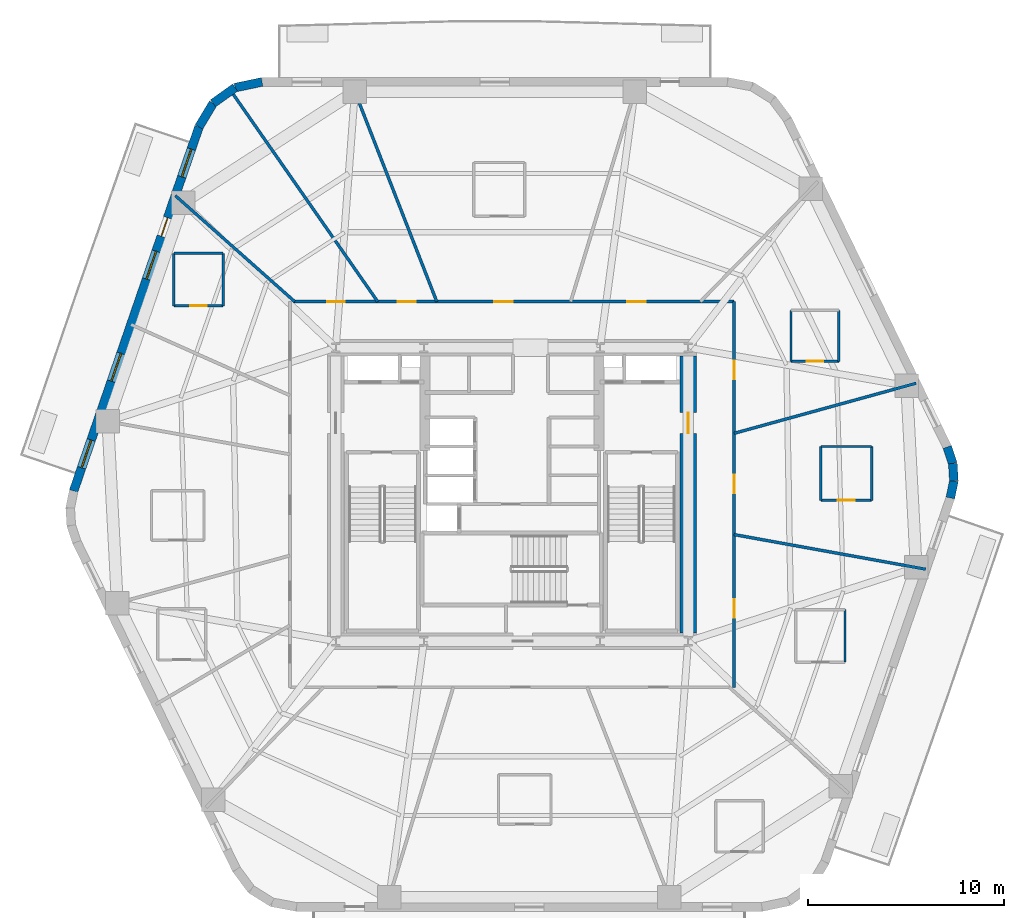
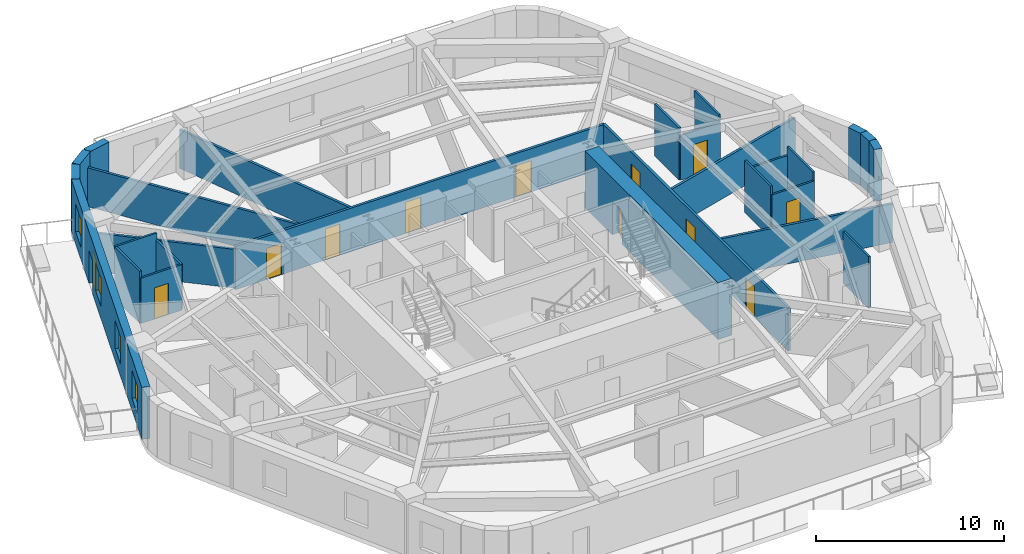
# One storey, part 5 of 8: 27 walls, 12 doors, 4 windows, 16 openings.
"""IFC4 building model written with IfcOpenShell, lengths in metres."""

from ifc_helpers import new_model, si_unit, direction, frame, frame_2d, origin, place, context, subcontext, project, spatial, rectangle, extrude, material, layer, layer_set, type_object, element, fill, save


model = new_model("IFC4")

# Units and contexts
model_context = context("Model", 3, precision=1e-05, world=origin(), true_north=direction((0.0, 1.0)))
body_context = subcontext(model_context, "Body", "Model", "MODEL_VIEW")
ifc_project = project(units=[si_unit("LENGTHUNIT", "METRE"), si_unit("AREAUNIT", "SQUARE_METRE"), si_unit("VOLUMEUNIT", "CUBIC_METRE"), si_unit("PLANEANGLEUNIT", "RADIAN"), si_unit("MASSUNIT", "GRAM", prefix="KILO")], contexts=[model_context])

# Site, building, storey
site_placement = place(None, origin())
site = spatial("IfcSite", under=ifc_project, at=site_placement, CompositionType="ELEMENT")
building_placement = place(site_placement, origin())
building = spatial("IfcBuilding", under=site, at=building_placement, Name="Kilnhurst Terrace Hotel", CompositionType="ELEMENT")
storey_placement = place(building_placement, frame((0.0, 0.0, 135.800048828125)))
storey = spatial("IfcBuildingStorey", under=building, at=storey_placement, Name="L33", CompositionType="ELEMENT", Elevation=135.800048828125)

# Walls
ifc_material_1 = material(Name="Precast concrete C40/50", Category="concrete")
ifc_layer_1 = layer(ifc_material_1, 0.449951171875, Name="Precast concrete C40/50")
ifc_layer_set_1 = layer_set([ifc_layer_1], Name="Precast concrete C40/50")
wall_type_1 = type_object("IfcWallType", Name="WL-BRK-450", PredefinedType="SOLIDWALL", material=ifc_layer_set_1)
wall_1_placement = place(storey_placement, frame((22.39697265625, -0.17919921875, 0.0), z_axis=(0.0, 0.0, 1.0), x_axis=(0.199313589404, 0.979935759669, 0.0)))
element("IfcWall", 1, at=wall_1_placement, inside=storey, type_object=wall_type_1, Name="L33 Rounded Corner Brick Wall C3.1", PredefinedType="SOLIDWALL", context=body_context, shape_type="SweptSolid", body=[
    extrude(rectangle(XDim=0.8955078125, YDim=0.449951171875, at=frame_2d((0.44775390625, 0.0))), origin(), (0.0, 0.0, 1.0), 3.3798828125),
])
wall_2_placement = place(storey_placement, frame((22.575439453125, 0.6982421875, 0.0), z_axis=(0.0, 0.0, 1.0), x_axis=(-0.060980441946, 0.998138961117, 0.0)))
element("IfcWall", 2, at=wall_2_placement, inside=storey, type_object=wall_type_1, Name="L33 Rounded Corner Brick Wall C3.2", PredefinedType="SOLIDWALL", context=body_context, shape_type="SweptSolid", body=[
    extrude(rectangle(XDim=0.880859375, YDim=0.449951171875, at=frame_2d((0.4404296875, 0.0))), origin(), (0.0, 0.0, 1.0), 3.3798828125),
])
wall_3_placement = place(storey_placement, frame((22.521728515625, 1.577392578125, 0.0), z_axis=(0.0, 0.0, 1.0), x_axis=(-0.317372694837, 0.948300887151, 0.0)))
element("IfcWall", 3, at=wall_3_placement, inside=storey, type_object=wall_type_1, Name="L33 Rounded Corner Brick Wall C3.3", PredefinedType="SOLIDWALL", context=body_context, shape_type="SweptSolid", body=[
    extrude(rectangle(XDim=0.8955078125, YDim=0.449951171875, at=frame_2d((0.44775390625, 0.0))), origin(), (0.0, 0.0, 1.0), 3.3798828125),
])
wall_4_placement = place(storey_placement, frame((-12.7705078125, 21.074951171875, 0.0), z_axis=(0.0, 0.0, 1.0), x_axis=(-0.97874281988, -0.205091424819, 0.0)))
element("IfcWall", 4, at=wall_4_placement, inside=storey, type_object=wall_type_1, Name="L33 Rounded Corner Brick Wall C5.1", PredefinedType="SOLIDWALL", context=body_context, shape_type="SweptSolid", body=[
    extrude(rectangle(XDim=1.40576171875, YDim=0.449951171875, at=frame_2d((0.702880859375, 0.0))), origin(), (0.0, 0.0, 1.0), 3.3798828125),
])
wall_5_placement = place(storey_placement, frame((-14.146484375, 20.78662109375, 0.0), z_axis=(0.0, 0.0, 1.0), x_axis=(-0.814162929117, -0.580636482536, 0.0)))
element("IfcWall", 5, at=wall_5_placement, inside=storey, type_object=wall_type_1, Name="L33 Rounded Corner Brick Wall C5.2", PredefinedType="SOLIDWALL", context=body_context, shape_type="SweptSolid", body=[
    extrude(rectangle(XDim=1.382080078125, YDim=0.449951171875, at=frame_2d((0.69091796875, 0.0))), origin(), (0.0, 0.0, 1.0), 3.3798828125),
])
wall_6_placement = place(storey_placement, frame((-15.271728515625, 19.984130859375, 0.0), z_axis=(0.0, 0.0, 1.0), x_axis=(-0.512579347361, -0.858639862025, 0.0)))
element("IfcWall", 6, at=wall_6_placement, inside=storey, type_object=wall_type_1, Name="L33 Rounded Corner Brick Wall C5.3", PredefinedType="SOLIDWALL", context=body_context, shape_type="SweptSolid", body=[
    extrude(rectangle(XDim=1.406005859375, YDim=0.449951171875, at=frame_2d((0.703125, 0.0))), origin(), (0.0, 0.0, 1.0), 3.3798828125),
])

# Wall, openings, door, windows
wall_7_placement = place(storey_placement, frame((-15.992431640625, 18.77685546875, 0.0), z_axis=(0.0, 0.0, 1.0), x_axis=(-0.325606988926, -0.945505202927, 0.0)))
wall_7 = element("IfcWall", 7, at=wall_7_placement, inside=storey, type_object=wall_type_1, Name="L33 Exterior Brick Facade Wall F5", PredefinedType="SOLIDWALL", context=body_context, shape_type="SweptSolid", body=[
    extrude(rectangle(XDim=19.66943359375, YDim=0.449951171875, at=frame_2d((9.834716796875, 0.0))), origin(), (0.0, 0.0, 1.0), 3.3798828125),
])
opening_1_placement = place(wall_7_placement, frame((4.908935546875, 0.0, 0.0)))
opening_1 = element("IfcOpeningElement", 8, at=opening_1_placement, cuts=wall_7, Name="Opening BD-1000", PredefinedType="OPENING", context=body_context, shape_type="SweptSolid", body=[
    extrude(rectangle(XDim=1.0, YDim=2.14990234375, at=frame_2d((0.5, 1.074951171875))), frame((0.0, 0.23486328125, 0.0), z_axis=(0.0, -1.0, 0.0), x_axis=(1.0, 0.0, 0.0)), (0.0, 0.0, 1.0), 0.469970703125),
])
opening_2_placement = place(wall_7_placement, frame((1.197021484375, 0.0, 0.800048828125)))
opening_2 = element("IfcOpeningElement", 9, at=opening_2_placement, cuts=wall_7, Name="Opening W-02", PredefinedType="OPENING", context=body_context, shape_type="SweptSolid", body=[
    extrude(rectangle(XDim=1.5, YDim=1.800048828125, at=frame_2d((0.75, 0.89990234375))), frame((0.0, 0.23486328125, 0.0), z_axis=(0.0, -1.0, 0.0), x_axis=(1.0, 0.0, 0.0)), (0.0, 0.0, 1.0), 0.469970703125),
])
opening_3_placement = place(wall_7_placement, frame((6.719970703125, 0.0, 0.800048828125)))
opening_3 = element("IfcOpeningElement", 10, at=opening_3_placement, cuts=wall_7, Name="Opening W-02", PredefinedType="OPENING", context=body_context, shape_type="SweptSolid", body=[
    extrude(rectangle(XDim=1.5, YDim=1.800048828125, at=frame_2d((0.75, 0.89990234375))), frame((0.0, 0.23486328125, 0.0), z_axis=(0.0, -1.0, 0.0), x_axis=(1.0, 0.0, 0.0)), (0.0, 0.0, 1.0), 0.469970703125),
])
opening_4_placement = place(wall_7_placement, frame((12.238037109375, 0.0, 0.800048828125)))
opening_4 = element("IfcOpeningElement", 11, at=opening_4_placement, cuts=wall_7, Name="Opening W-02", PredefinedType="OPENING", context=body_context, shape_type="SweptSolid", body=[
    extrude(rectangle(XDim=1.5, YDim=1.800048828125, at=frame_2d((0.75, 0.89990234375))), frame((0.0, 0.23486328125, 0.0), z_axis=(0.0, -1.0, 0.0), x_axis=(1.0, 0.0, 0.0)), (0.0, 0.0, 1.0), 0.469970703125),
])
opening_5_placement = place(wall_7_placement, frame((16.91796875, 0.0, 0.800048828125)))
opening_5 = element("IfcOpeningElement", 12, at=opening_5_placement, cuts=wall_7, Name="Opening W-02", PredefinedType="OPENING", context=body_context, shape_type="SweptSolid", body=[
    extrude(rectangle(XDim=1.5, YDim=1.800048828125, at=frame_2d((0.75, 0.89990234375))), frame((0.0, 0.23486328125, 0.0), z_axis=(0.0, -1.0, 0.0), x_axis=(1.0, 0.0, 0.0)), (0.0, 0.0, 1.0), 0.469970703125),
])
ifc_material_2 = material(Name="Thermally Broken Bronze Aluminium Alloy 6063-T6 and Laminated Glass", Category="aluminium")
door_type_1 = type_object("IfcDoorType", Name="DR-EXT-BAL-1000", OperationType="NOTDEFINED", PredefinedType="DOOR", material=ifc_material_2)
door_1_placement = place(opening_1_placement, origin())
door_1 = element("IfcDoor", 13, at=door_1_placement, inside=storey, type_object=door_type_1, Name="L33 Planted Balcony Door BAL-L2B", OperationType="SINGLE_SWING_LEFT", OverallHeight=2.14990234375, OverallWidth=1.0, PredefinedType="DOOR", context=body_context, shape_type="SweptSolid", body=[
    extrude(rectangle(XDim=1.0, YDim=2.14990234375, at=frame_2d((0.5, 1.074951171875))), frame((0.0, 0.02490234375, 0.0), z_axis=(0.0, -1.0, 0.0), x_axis=(1.0, 0.0, 0.0)), (0.0, 0.0, 1.0), 0.050048828125),
])
fill(opening_1, door_1)
ifc_material_3 = material(Name="Thermally Broken Bronze Aluminium Alloy 6063-T6 and Low-E Glass", Category="aluminium")
window_type = type_object("IfcWindowType", Name="WIN-1500X1800", PartitioningType="SINGLE_PANEL", PredefinedType="WINDOW", material=ifc_material_3)
window_1_placement = place(opening_2_placement, origin())
window_1 = element("IfcWindow", 14, at=window_1_placement, inside=storey, type_object=window_type, Name="L33 Deep-Set Masonry Window F5.1", OverallHeight=1.800048828125, OverallWidth=1.5, PartitioningType="SINGLE_PANEL", PredefinedType="WINDOW", context=body_context, shape_type="SweptSolid", body=[
    extrude(rectangle(XDim=1.5, YDim=1.800048828125, at=frame_2d((0.75, 0.89990234375))), frame((0.0, 0.030029296875, 0.0), z_axis=(0.0, -1.0, 0.0), x_axis=(1.0, 0.0, 0.0)), (0.0, 0.0, 1.0), 0.06005859375),
])
fill(opening_2, window_1)
window_2_placement = place(opening_3_placement, origin())
window_2 = element("IfcWindow", 15, at=window_2_placement, inside=storey, type_object=window_type, Name="L33 Deep-Set Masonry Window F5.2", OverallHeight=1.800048828125, OverallWidth=1.5, PartitioningType="SINGLE_PANEL", PredefinedType="WINDOW", context=body_context, shape_type="SweptSolid", body=[
    extrude(rectangle(XDim=1.5, YDim=1.800048828125, at=frame_2d((0.75, 0.89990234375))), frame((0.0, 0.030029296875, 0.0), z_axis=(0.0, -1.0, 0.0), x_axis=(1.0, 0.0, 0.0)), (0.0, 0.0, 1.0), 0.06005859375),
])
fill(opening_3, window_2)
window_3_placement = place(opening_4_placement, origin())
window_3 = element("IfcWindow", 16, at=window_3_placement, inside=storey, type_object=window_type, Name="L33 Deep-Set Masonry Window F5.3", OverallHeight=1.800048828125, OverallWidth=1.5, PartitioningType="SINGLE_PANEL", PredefinedType="WINDOW", context=body_context, shape_type="SweptSolid", body=[
    extrude(rectangle(XDim=1.5, YDim=1.800048828125, at=frame_2d((0.75, 0.89990234375))), frame((0.0, 0.030029296875, 0.0), z_axis=(0.0, -1.0, 0.0), x_axis=(1.0, 0.0, 0.0)), (0.0, 0.0, 1.0), 0.06005859375),
])
fill(opening_4, window_3)
window_4_placement = place(opening_5_placement, origin())
window_4 = element("IfcWindow", 17, at=window_4_placement, inside=storey, type_object=window_type, Name="L33 Deep-Set Masonry Window F5.4", OverallHeight=1.800048828125, OverallWidth=1.5, PartitioningType="SINGLE_PANEL", PredefinedType="WINDOW", context=body_context, shape_type="SweptSolid", body=[
    extrude(rectangle(XDim=1.5, YDim=1.800048828125, at=frame_2d((0.75, 0.89990234375))), frame((0.0, 0.030029296875, 0.0), z_axis=(0.0, -1.0, 0.0), x_axis=(1.0, 0.0, 0.0)), (0.0, 0.0, 1.0), 0.06005859375),
])
fill(opening_5, window_4)

# Wall, openings, doors
ifc_material_4 = material(Name="Acoustic Double-Gypsum Corridor Partition Assembly")
ifc_layer_2 = layer(ifc_material_4, 0.14990234375, Name="Acoustic Double-Gypsum Corridor Partition Assembly")
ifc_layer_set_2 = layer_set([ifc_layer_2], Name="Acoustic Double-Gypsum Corridor Partition Assembly")
wall_type_2 = type_object("IfcWallType", Name="WL-COR-150", PredefinedType="PARTITIONING", material=ifc_layer_set_2)
wall_8_placement = place(storey_placement, frame((-11.35009765625, 9.85009765625, 0.0), z_axis=(0.0, 0.0, 1.0), x_axis=(1.0, 0.0, 0.0)))
wall_8 = element("IfcWall", 18, at=wall_8_placement, inside=storey, type_object=wall_type_2, Name="L33 Interior Wall WL-L33-COR-02", PredefinedType="PARTITIONING", context=body_context, shape_type="SweptSolid", body=[
    extrude(rectangle(XDim=22.7001953125, YDim=0.14990234375, at=frame_2d((11.35009765625, 0.0))), origin(), (0.0, 0.0, 1.0), 2.820068359375),
])
opening_6_placement = place(wall_8_placement, frame((17.237060546875, 0.0, 0.0)))
opening_6 = element("IfcOpeningElement", 19, at=opening_6_placement, cuts=wall_8, Name="Opening D-60B", PredefinedType="OPENING", context=body_context, shape_type="SweptSolid", body=[
    extrude(rectangle(XDim=0.949951171875, YDim=2.030029296875, at=frame_2d((0.47509765625, 1.01513671875))), frame((0.0, 0.0849609375, 0.0), z_axis=(0.0, -1.0, 0.0), x_axis=(1.0, 0.0, 0.0)), (0.0, 0.0, 1.0), 0.169921875),
])
opening_7_placement = place(wall_8_placement, frame((10.449951171875, 0.0, 0.0)))
opening_7 = element("IfcOpeningElement", 20, at=opening_7_placement, cuts=wall_8, Name="Opening D-60B", PredefinedType="OPENING", context=body_context, shape_type="SweptSolid", body=[
    extrude(rectangle(XDim=0.949951171875, YDim=2.030029296875, at=frame_2d((0.47509765625, 1.01513671875))), frame((0.0, 0.0849609375, 0.0), z_axis=(0.0, -1.0, 0.0), x_axis=(1.0, 0.0, 0.0)), (0.0, 0.0, 1.0), 0.169921875),
])
opening_8_placement = place(wall_8_placement, frame((5.52197265625, 0.0, 0.0)))
opening_8 = element("IfcOpeningElement", 21, at=opening_8_placement, cuts=wall_8, Name="Opening D-60C", PredefinedType="OPENING", context=body_context, shape_type="SweptSolid", body=[
    extrude(rectangle(XDim=0.89990234375, YDim=2.030029296875, at=frame_2d((0.449951171875, 1.01513671875))), frame((0.0, 0.0849609375, 0.0), z_axis=(0.0, -1.0, 0.0), x_axis=(1.0, 0.0, 0.0)), (0.0, 0.0, 1.0), 0.169921875),
])
opening_9_placement = place(wall_8_placement, frame((1.9140625, 0.0, 0.0)))
opening_9 = element("IfcOpeningElement", 22, at=opening_9_placement, cuts=wall_8, Name="Opening D-60C", PredefinedType="OPENING", context=body_context, shape_type="SweptSolid", body=[
    extrude(rectangle(XDim=0.89990234375, YDim=2.030029296875, at=frame_2d((0.449951171875, 1.01513671875))), frame((0.0, 0.0849609375, 0.0), z_axis=(0.0, -1.0, 0.0), x_axis=(1.0, 0.0, 0.0)), (0.0, 0.0, 1.0), 0.169921875),
])
ifc_material_5 = material(Name="Painted Solid-Core Service Fire Door")
door_type_2 = type_object("IfcDoorType", Name="DR-FD60-900", OperationType="NOTDEFINED", PredefinedType="DOOR", material=ifc_material_5)
door_2_placement = place(opening_8_placement, origin())
door_2 = element("IfcDoor", 23, at=door_2_placement, inside=storey, type_object=door_type_2, Name="L33 Executive Work Office Door 4", OperationType="SINGLE_SWING_RIGHT", OverallHeight=2.030029296875, OverallWidth=0.89990234375, PredefinedType="DOOR", context=body_context, shape_type="SweptSolid", body=[
    extrude(rectangle(XDim=0.89990234375, YDim=2.030029296875, at=frame_2d((0.449951171875, 1.01513671875))), frame((0.0, 0.02490234375, 0.0), z_axis=(0.0, -1.0, 0.0), x_axis=(1.0, 0.0, 0.0)), (0.0, 0.0, 1.0), 0.050048828125),
])
fill(opening_8, door_2)
door_3_placement = place(opening_9_placement, origin())
door_3 = element("IfcDoor", 24, at=door_3_placement, inside=storey, type_object=door_type_2, Name="L33 Executive Work Office Door 5", OperationType="SINGLE_SWING_LEFT", OverallHeight=2.030029296875, OverallWidth=0.89990234375, PredefinedType="DOOR", context=body_context, shape_type="SweptSolid", body=[
    extrude(rectangle(XDim=0.89990234375, YDim=2.030029296875, at=frame_2d((0.449951171875, 1.01513671875))), frame((0.0, 0.02490234375, 0.0), z_axis=(0.0, -1.0, 0.0), x_axis=(1.0, 0.0, 0.0)), (0.0, 0.0, 1.0), 0.050048828125),
])
fill(opening_9, door_3)
ifc_material_6 = material(Name="Acoustic Walnut Veneer Solid-Core Fire Door")
door_type_3 = type_object("IfcDoorType", Name="DR-FD60-950", OperationType="NOTDEFINED", PredefinedType="DOOR", material=ifc_material_6)
door_4_placement = place(opening_6_placement, origin())
door_4 = element("IfcDoor", 25, at=door_4_placement, inside=storey, type_object=door_type_3, Name="L33 Club Cocktail Lounge Door", OperationType="SINGLE_SWING_RIGHT", OverallHeight=2.030029296875, OverallWidth=0.949951171875, PredefinedType="DOOR", context=body_context, shape_type="SweptSolid", body=[
    extrude(rectangle(XDim=0.949951171875, YDim=2.030029296875, at=frame_2d((0.47509765625, 1.01513671875))), frame((0.0, 0.02490234375, 0.0), z_axis=(0.0, -1.0, 0.0), x_axis=(1.0, 0.0, 0.0)), (0.0, 0.0, 1.0), 0.050048828125),
])
fill(opening_6, door_4)
door_5_placement = place(opening_7_placement, origin())
door_5 = element("IfcDoor", 26, at=door_5_placement, inside=storey, type_object=door_type_3, Name="L33 Executive Suite Entry Door 3", OperationType="SINGLE_SWING_LEFT", OverallHeight=2.030029296875, OverallWidth=0.949951171875, PredefinedType="DOOR", context=body_context, shape_type="SweptSolid", body=[
    extrude(rectangle(XDim=0.949951171875, YDim=2.030029296875, at=frame_2d((0.47509765625, 1.01513671875))), frame((0.0, 0.02490234375, 0.0), z_axis=(0.0, -1.0, 0.0), x_axis=(1.0, 0.0, 0.0)), (0.0, 0.0, 1.0), 0.050048828125),
])
fill(opening_7, door_5)

wall_9_placement = place(storey_placement, frame((11.35009765625, 9.85009765625, 0.0), z_axis=(0.0, 0.0, 1.0), x_axis=(0.0, -1.0, 0.0)))
wall_9 = element("IfcWall", 27, at=wall_9_placement, inside=storey, type_object=wall_type_2, Name="L33 Interior Wall WL-L33-COR-03", PredefinedType="PARTITIONING", context=body_context, shape_type="SweptSolid", body=[
    extrude(rectangle(XDim=19.7001953125, YDim=0.14990234375, at=frame_2d((9.85009765625, 0.0))), origin(), (0.0, 0.0, 1.0), 2.820068359375),
])
opening_10_placement = place(wall_9_placement, frame((3.008056640625, 0.0, 0.0)))
opening_10 = element("IfcOpeningElement", 28, at=opening_10_placement, cuts=wall_9, Name="Opening D-60B", PredefinedType="OPENING", context=body_context, shape_type="SweptSolid", body=[
    extrude(rectangle(XDim=0.949951171875, YDim=2.030029296875, at=frame_2d((0.47509765625, 1.01513671875))), frame((0.0, 0.0849609375, 0.0), z_axis=(0.0, -1.0, 0.0), x_axis=(1.0, 0.0, 0.0)), (0.0, 0.0, 1.0), 0.169921875),
])
opening_11_placement = place(wall_9_placement, frame((15.205078125, 0.0, 0.0)))
opening_11 = element("IfcOpeningElement", 29, at=opening_11_placement, cuts=wall_9, Name="Opening D-60B", PredefinedType="OPENING", context=body_context, shape_type="SweptSolid", body=[
    extrude(rectangle(XDim=0.949951171875, YDim=2.030029296875, at=frame_2d((0.47509765625, 1.01513671875))), frame((0.0, 0.0849609375, 0.0), z_axis=(0.0, -1.0, 0.0), x_axis=(1.0, 0.0, 0.0)), (0.0, 0.0, 1.0), 0.169921875),
])
opening_12_placement = place(wall_9_placement, frame((8.8359375, 0.0, 0.0)))
opening_12 = element("IfcOpeningElement", 30, at=opening_12_placement, cuts=wall_9, Name="Opening D-60B", PredefinedType="OPENING", context=body_context, shape_type="SweptSolid", body=[
    extrude(rectangle(XDim=0.949951171875, YDim=2.030029296875, at=frame_2d((0.47509765625, 1.01513671875))), frame((0.0, 0.0849609375, 0.0), z_axis=(0.0, -1.0, 0.0), x_axis=(1.0, 0.0, 0.0)), (0.0, 0.0, 1.0), 0.169921875),
])
door_6_placement = place(opening_10_placement, origin())
door_6 = element("IfcDoor", 31, at=door_6_placement, inside=storey, type_object=door_type_3, Name="L33 Executive Suite Entry Door 1", OperationType="SINGLE_SWING_LEFT", OverallHeight=2.030029296875, OverallWidth=0.949951171875, PredefinedType="DOOR", context=body_context, shape_type="SweptSolid", body=[
    extrude(rectangle(XDim=0.949951171875, YDim=2.030029296875, at=frame_2d((0.47509765625, 1.01513671875))), frame((0.0, 0.02490234375, 0.0), z_axis=(0.0, -1.0, 0.0), x_axis=(1.0, 0.0, 0.0)), (0.0, 0.0, 1.0), 0.050048828125),
])
fill(opening_10, door_6)
door_7_placement = place(opening_11_placement, origin())
door_7 = element("IfcDoor", 32, at=door_7_placement, inside=storey, type_object=door_type_3, Name="L33 Executive Suite Entry Door 14", OperationType="SINGLE_SWING_RIGHT", OverallHeight=2.030029296875, OverallWidth=0.949951171875, PredefinedType="DOOR", context=body_context, shape_type="SweptSolid", body=[
    extrude(rectangle(XDim=0.949951171875, YDim=2.030029296875, at=frame_2d((0.47509765625, 1.01513671875))), frame((0.0, 0.02490234375, 0.0), z_axis=(0.0, -1.0, 0.0), x_axis=(1.0, 0.0, 0.0)), (0.0, 0.0, 1.0), 0.050048828125),
])
fill(opening_11, door_7)
door_8_placement = place(opening_12_placement, origin())
door_8 = element("IfcDoor", 33, at=door_8_placement, inside=storey, type_object=door_type_3, Name="L33 Executive Suite Entry Door 15", OperationType="SINGLE_SWING_LEFT", OverallHeight=2.030029296875, OverallWidth=0.949951171875, PredefinedType="DOOR", context=body_context, shape_type="SweptSolid", body=[
    extrude(rectangle(XDim=0.949951171875, YDim=2.030029296875, at=frame_2d((0.47509765625, 1.01513671875))), frame((0.0, 0.02490234375, 0.0), z_axis=(0.0, -1.0, 0.0), x_axis=(1.0, 0.0, 0.0)), (0.0, 0.0, 1.0), 0.050048828125),
])
fill(opening_12, door_8)

# Wall, opening, door
ifc_material_7 = material(Name="Concrete C80/95", Category="concrete")
ifc_layer_3 = layer(ifc_material_7, 0.85009765625, Name="Concrete C80/95")
ifc_layer_set_3 = layer_set([ifc_layer_3], Name="Concrete C80/95")
wall_type_3 = type_object("IfcWallType", Name="WL-CORE-850", PredefinedType="SHEAR", material=ifc_layer_set_3)
wall_10_placement = place(storey_placement, frame((9.0, -7.074951171875, 0.0), z_axis=(0.0, 0.0, 1.0), x_axis=(0.0, 1.0, 0.0)))
wall_10 = element("IfcWall", 34, at=wall_10_placement, inside=storey, type_object=wall_type_3, Name="L33 Core East Shear Wall", PredefinedType="SHEAR", context=body_context, shape_type="SweptSolid", body=[
    extrude(rectangle(XDim=14.14990234375, YDim=0.85009765625, at=frame_2d((7.074951171875, 0.0))), origin(), (0.0, 0.0, 1.0), 3.699951171875),
])
opening_13_placement = place(wall_10_placement, frame((10.199951171875, 0.0, 0.0)))
opening_13 = element("IfcOpeningElement", 35, at=opening_13_placement, cuts=wall_10, Name="Opening D-90A", PredefinedType="OPENING", context=body_context, shape_type="SweptSolid", body=[
    extrude(rectangle(XDim=1.050048828125, YDim=2.14990234375, at=frame_2d((0.52490234375, 1.074951171875))), frame((0.0, 0.43505859375, 0.0), z_axis=(0.0, -1.0, 0.0), x_axis=(1.0, 0.0, 0.0)), (0.0, 0.0, 1.0), 0.8701171875),
])
ifc_material_8 = material(Name="Painted Hollow Metal Steel ASTM A36 Fire Door", Category="steel")
door_type_4 = type_object("IfcDoorType", Name="DR-FD90-1050", OperationType="NOTDEFINED", PredefinedType="DOOR", material=ifc_material_8)
door_9_placement = place(opening_13_placement, origin())
door_9 = element("IfcDoor", 36, at=door_9_placement, inside=storey, type_object=door_type_4, Name="L33 East Firefighting Lobby Door", OperationType="SINGLE_SWING_LEFT", OverallHeight=2.14990234375, OverallWidth=1.050048828125, PredefinedType="DOOR", context=body_context, shape_type="SweptSolid", body=[
    extrude(rectangle(XDim=1.050048828125, YDim=2.14990234375, at=frame_2d((0.52490234375, 1.074951171875))), frame((0.0, 0.02490234375, 0.0), z_axis=(0.0, -1.0, 0.0), x_axis=(1.0, 0.0, 0.0)), (0.0, 0.0, 1.0), 0.050048828125),
])
fill(opening_13, door_9)

# Walls
ifc_material_9 = material(Name="STC-58 Acoustic Twin-Frame Guestroom Demising Partition")
ifc_layer_4 = layer(ifc_material_9, 0.14990234375, Name="STC-58 Acoustic Twin-Frame Guestroom Demising Partition")
ifc_layer_set_4 = layer_set([ifc_layer_4], Name="STC-58 Acoustic Twin-Frame Guestroom Demising Partition")
wall_type_4 = type_object("IfcWallType", Name="WL-DEM-150", PredefinedType="PARTITIONING", material=ifc_layer_set_4)
wall_11_placement = place(storey_placement, frame((11.35009765625, 3.123291015625, 0.0), z_axis=(0.0, 0.0, 1.0), x_axis=(0.964151983214, 0.265350623261, 0.0)))
element("IfcWall", 37, at=wall_11_placement, inside=storey, type_object=wall_type_4, Name="L33 Interior Wall WL-L33-DEM-COL01-01-1", PredefinedType="PARTITIONING", context=body_context, shape_type="SweptSolid", body=[
    extrude(rectangle(XDim=9.64501953125, YDim=0.14990234375, at=frame_2d((4.822509765625, 0.0))), origin(), (0.0, 0.0, 1.0), 2.52001953125),
])
wall_12_placement = place(storey_placement, frame((-3.84228515625, 9.85009765625, 0.0), z_axis=(0.0, 0.0, 1.0), x_axis=(-0.363432685593, 0.931620460833, 0.0)))
element("IfcWall", 38, at=wall_12_placement, inside=storey, type_object=wall_type_4, Name="L33 Interior Wall WL-L33-DEM-COL04-04-1", PredefinedType="PARTITIONING", context=body_context, shape_type="SweptSolid", body=[
    extrude(rectangle(XDim=12.048828125, YDim=0.14990234375, at=frame_2d((6.0244140625, 0.0))), origin(), (0.0, 0.0, 1.0), 2.52001953125),
])
wall_13_placement = place(storey_placement, frame((-6.861083984375, 9.85009765625, 0.0), z_axis=(0.0, 0.0, 1.0), x_axis=(-0.571575431292, 0.820549527051, 0.0)))
element("IfcWall", 39, at=wall_13_placement, inside=storey, type_object=wall_type_4, Name="L33 Interior Wall WL-L33-DEM-MID04-05-1", PredefinedType="PARTITIONING", context=body_context, shape_type="SweptSolid", body=[
    extrude(rectangle(XDim=12.97509765625, YDim=0.14990234375, at=frame_2d((6.487548828125, 0.0))), origin(), (0.0, 0.0, 1.0), 2.52001953125),
])
wall_14_placement = place(storey_placement, frame((-11.097900390625, 9.85009765625, 0.0), z_axis=(0.0, 0.0, 1.0), x_axis=(-0.747904295103, 0.663806572253, 0.0)))
element("IfcWall", 40, at=wall_14_placement, inside=storey, type_object=wall_type_4, Name="L33 Interior Wall WL-L33-DEM-COL05-06-1", PredefinedType="PARTITIONING", context=body_context, shape_type="SweptSolid", body=[
    extrude(rectangle(XDim=8.160400390625, YDim=0.14990234375, at=frame_2d((4.080078125, 0.0))), origin(), (0.0, 0.0, 1.0), 2.52001953125),
])
wall_15_placement = place(storey_placement, frame((11.35009765625, -2.05078125, 0.0), z_axis=(0.0, 0.0, 1.0), x_axis=(0.984068313063, -0.177790762484, 0.0)))
element("IfcWall", 41, at=wall_15_placement, inside=storey, type_object=wall_type_4, Name="L33 Interior Wall WL-L33-DEM-COL12-15-1", PredefinedType="PARTITIONING", context=body_context, shape_type="SweptSolid", body=[
    extrude(rectangle(XDim=9.951416015625, YDim=0.14990234375, at=frame_2d((4.9755859375, 0.0))), origin(), (0.0, 0.0, 1.0), 2.52001953125),
])

# Wall, opening, door
ifc_material_10 = material(Name="120 mm Moisture-Resistant Tile-Backed Bathroom Partition")
ifc_layer_5 = layer(ifc_material_10, 0.1201171875, Name="120 mm Moisture-Resistant Tile-Backed Bathroom Partition")
ifc_layer_set_5 = layer_set([ifc_layer_5], Name="120 mm Moisture-Resistant Tile-Backed Bathroom Partition")
wall_type_5 = type_object("IfcWallType", Name="WL-PART-120", PredefinedType="PARTITIONING", material=ifc_layer_set_5)
wall_16_placement = place(storey_placement, frame((14.2548828125, 6.800048828125, 0.0), z_axis=(0.0, 0.0, 1.0), x_axis=(1.0, 0.0, 0.0)))
wall_16 = element("IfcWall", 42, at=wall_16_placement, inside=storey, type_object=wall_type_5, Name="L33 Interior Wall WL-L33-BTH-01-1", PredefinedType="PARTITIONING", context=body_context, shape_type="SweptSolid", body=[
    extrude(rectangle(XDim=2.440185546875, YDim=0.1201171875, at=frame_2d((1.22021484375, 0.0))), origin(), (0.0, 0.0, 1.0), 2.906494140625),
])
opening_14_placement = place(wall_16_placement, frame((0.794921875, 0.0, 0.0)))
opening_14 = element("IfcOpeningElement", 43, at=opening_14_placement, cuts=wall_16, Name="Opening D-08A", PredefinedType="OPENING", context=body_context, shape_type="SweptSolid", body=[
    extrude(rectangle(XDim=0.85009765625, YDim=2.030029296875, at=frame_2d((0.425048828125, 1.01513671875))), frame((0.0, 0.070068359375, 0.0), z_axis=(0.0, -1.0, 0.0), x_axis=(1.0, 0.0, 0.0)), (0.0, 0.0, 1.0), 0.14013671875),
])
ifc_material_11 = material(Name="Moisture-Resistant Lacquered En-suite Bathroom Door")
door_type_5 = type_object("IfcDoorType", Name="DR-INT-850", OperationType="NOTDEFINED", PredefinedType="DOOR", material=ifc_material_11)
door_10_placement = place(opening_14_placement, origin())
door_10 = element("IfcDoor", 44, at=door_10_placement, inside=storey, type_object=door_type_5, Name="L33 En-suite Bathroom Door 1", OperationType="SINGLE_SWING_RIGHT", OverallHeight=2.030029296875, OverallWidth=0.85009765625, PredefinedType="DOOR", context=body_context, shape_type="SweptSolid", body=[
    extrude(rectangle(XDim=0.85009765625, YDim=2.030029296875, at=frame_2d((0.425048828125, 1.01513671875))), frame((0.0, 0.02490234375, 0.0), z_axis=(0.0, -1.0, 0.0), x_axis=(1.0, 0.0, 0.0)), (0.0, 0.0, 1.0), 0.050048828125),
])
fill(opening_14, door_10)

# Walls
for number, where, z_axis, x_axis, name in (
    (45, (16.695068359375, 6.800048828125, 0.0), (0.0, 0.0, 1.0), (0.0, 1.0, 0.0), "L33 Interior Wall WL-L33-BTH-01-2"),
    (46, (14.2548828125, 9.409912109375, 0.0), (0.0, 0.0, 1.0), (0.0, -1.0, 0.0), "L33 Interior Wall WL-L33-BTH-01-4"),
):
    element("IfcWall", number, at=place(storey_placement, frame(where, z_axis=z_axis, x_axis=x_axis)), inside=storey, type_object=wall_type_5, Name=name, PredefinedType="PARTITIONING", context=body_context, shape_type="SweptSolid", body=[
        extrude(rectangle(XDim=2.60986328125, YDim=0.1201171875, at=frame_2d((1.304931640625, 0.0))), origin(), (0.0, 0.0, 1.0), 3.3798828125),
    ])

# Wall, opening, door
wall_17_placement = place(storey_placement, frame((-17.27392578125, 9.639892578125, 0.0), z_axis=(0.0, 0.0, 1.0), x_axis=(1.0, 0.0, 0.0)))
wall_17 = element("IfcWall", 47, at=wall_17_placement, inside=storey, type_object=wall_type_5, Name="L33 Interior Wall WL-L33-BTH-06-1", PredefinedType="PARTITIONING", context=body_context, shape_type="SweptSolid", body=[
    extrude(rectangle(XDim=2.52001953125, YDim=0.1201171875, at=frame_2d((1.260009765625, 0.0))), origin(), (0.0, 0.0, 1.0), 2.952392578125),
])
opening_15_placement = place(wall_17_placement, frame((0.8349609375, 0.0, 0.0)))
opening_15 = element("IfcOpeningElement", 48, at=opening_15_placement, cuts=wall_17, Name="Opening D-08A", PredefinedType="OPENING", context=body_context, shape_type="SweptSolid", body=[
    extrude(rectangle(XDim=0.85009765625, YDim=2.030029296875, at=frame_2d((0.425048828125, 1.01513671875))), frame((0.0, 0.070068359375, 0.0), z_axis=(0.0, -1.0, 0.0), x_axis=(1.0, 0.0, 0.0)), (0.0, 0.0, 1.0), 0.14013671875),
])
door_11_placement = place(opening_15_placement, origin())
door_11 = element("IfcDoor", 49, at=door_11_placement, inside=storey, type_object=door_type_5, Name="L33 En-suite Bathroom Door 6", OperationType="SINGLE_SWING_LEFT", OverallHeight=2.030029296875, OverallWidth=0.85009765625, PredefinedType="DOOR", context=body_context, shape_type="SweptSolid", body=[
    extrude(rectangle(XDim=0.85009765625, YDim=2.030029296875, at=frame_2d((0.425048828125, 1.01513671875))), frame((0.0, 0.02490234375, 0.0), z_axis=(0.0, -1.0, 0.0), x_axis=(1.0, 0.0, 0.0)), (0.0, 0.0, 1.0), 0.050048828125),
])
fill(opening_15, door_11)

# Walls
wall_18_placement = place(storey_placement, frame((-14.75390625, 9.639892578125, 0.0), z_axis=(0.0, 0.0, 1.0), x_axis=(0.0, 1.0, 0.0)))
element("IfcWall", 50, at=wall_18_placement, inside=storey, type_object=wall_type_5, Name="L33 Interior Wall WL-L33-BTH-06-2", PredefinedType="PARTITIONING", context=body_context, shape_type="SweptSolid", body=[
    extrude(rectangle(XDim=2.68017578125, YDim=0.1201171875, at=frame_2d((1.340087890625, 0.0))), origin(), (0.0, 0.0, 1.0), 2.952392578125),
])
wall_19_placement = place(storey_placement, frame((-14.75390625, 12.320068359375, 0.0), z_axis=(0.0, 0.0, 1.0), x_axis=(-1.0, 0.0, 0.0)))
element("IfcWall", 51, at=wall_19_placement, inside=storey, type_object=wall_type_5, Name="L33 Interior Wall WL-L33-BTH-06-3", PredefinedType="PARTITIONING", context=body_context, shape_type="SweptSolid", body=[
    extrude(rectangle(XDim=2.52001953125, YDim=0.1201171875, at=frame_2d((1.260009765625, 0.0))), origin(), (0.0, 0.0, 1.0), 3.3798828125),
])
for number, where, z_axis, x_axis, name in (
    (52, (-17.27392578125, 12.320068359375, 0.0), (0.0, 0.0, 1.0), (0.0, -1.0, 0.0), "L33 Interior Wall WL-L33-BTH-06-4"),
    (53, (17.013916015625, -8.570068359375, 0.0), (0.0, 0.0, 1.0), (0.0, 1.0, 0.0), "L33 Interior Wall WL-L33-BTH-14-2"),
):
    element("IfcWall", number, at=place(storey_placement, frame(where, z_axis=z_axis, x_axis=x_axis)), inside=storey, type_object=wall_type_5, Name=name, PredefinedType="PARTITIONING", context=body_context, shape_type="SweptSolid", body=[
        extrude(rectangle(XDim=2.68017578125, YDim=0.1201171875, at=frame_2d((1.340087890625, 0.0))), origin(), (0.0, 0.0, 1.0), 3.3798828125),
    ])

# Wall, opening, door
wall_20_placement = place(storey_placement, frame((15.77490234375, -0.301025390625, 0.0), z_axis=(0.0, 0.0, 1.0), x_axis=(1.0, 0.0, 0.0)))
wall_20 = element("IfcWall", 54, at=wall_20_placement, inside=storey, type_object=wall_type_5, Name="L33 Interior Wall WL-L33-BTH-15-1", PredefinedType="PARTITIONING", context=body_context, shape_type="SweptSolid", body=[
    extrude(rectangle(XDim=2.60009765625, YDim=0.1201171875, at=frame_2d((1.300048828125, 0.0))), origin(), (0.0, 0.0, 1.0), 2.820556640625),
])
opening_16_placement = place(wall_20_placement, frame((0.875, 0.0, 0.0)))
opening_16 = element("IfcOpeningElement", 55, at=opening_16_placement, cuts=wall_20, Name="Opening D-08A", PredefinedType="OPENING", context=body_context, shape_type="SweptSolid", body=[
    extrude(rectangle(XDim=0.85009765625, YDim=2.030029296875, at=frame_2d((0.425048828125, 1.01513671875))), frame((0.0, 0.070068359375, 0.0), z_axis=(0.0, -1.0, 0.0), x_axis=(1.0, 0.0, 0.0)), (0.0, 0.0, 1.0), 0.14013671875),
])
door_12_placement = place(opening_16_placement, origin())
door_12 = element("IfcDoor", 56, at=door_12_placement, inside=storey, type_object=door_type_5, Name="L33 En-suite Bathroom Door 15", OperationType="SINGLE_SWING_RIGHT", OverallHeight=2.030029296875, OverallWidth=0.85009765625, PredefinedType="DOOR", context=body_context, shape_type="SweptSolid", body=[
    extrude(rectangle(XDim=0.85009765625, YDim=2.030029296875, at=frame_2d((0.425048828125, 1.01513671875))), frame((0.0, 0.02490234375, 0.0), z_axis=(0.0, -1.0, 0.0), x_axis=(1.0, 0.0, 0.0)), (0.0, 0.0, 1.0), 0.050048828125),
])
fill(opening_16, door_12)

# Walls
wall_21_placement = place(storey_placement, frame((18.375, -0.301025390625, 0.0), z_axis=(0.0, 0.0, 1.0), x_axis=(0.0, 1.0, 0.0)))
element("IfcWall", 57, at=wall_21_placement, inside=storey, type_object=wall_type_5, Name="L33 Interior Wall WL-L33-BTH-15-2", PredefinedType="PARTITIONING", context=body_context, shape_type="SweptSolid", body=[
    extrude(rectangle(XDim=2.75, YDim=0.1201171875, at=frame_2d((1.375, 0.0))), origin(), (0.0, 0.0, 1.0), 3.3798828125),
])
wall_22_placement = place(storey_placement, frame((18.375, 2.448974609375, 0.0), z_axis=(0.0, 0.0, 1.0), x_axis=(-1.0, 0.0, 0.0)))
element("IfcWall", 58, at=wall_22_placement, inside=storey, type_object=wall_type_5, Name="L33 Interior Wall WL-L33-BTH-15-3", PredefinedType="PARTITIONING", context=body_context, shape_type="SweptSolid", body=[
    extrude(rectangle(XDim=2.60009765625, YDim=0.1201171875, at=frame_2d((1.300048828125, 0.0))), origin(), (0.0, 0.0, 1.0), 2.820556640625),
])
wall_23_placement = place(storey_placement, frame((15.77490234375, 2.448974609375, 0.0), z_axis=(0.0, 0.0, 1.0), x_axis=(0.0, -1.0, 0.0)))
element("IfcWall", 59, at=wall_23_placement, inside=storey, type_object=wall_type_5, Name="L33 Interior Wall WL-L33-BTH-15-4", PredefinedType="PARTITIONING", context=body_context, shape_type="SweptSolid", body=[
    extrude(rectangle(XDim=2.75, YDim=0.1201171875, at=frame_2d((1.375, 0.0))), origin(), (0.0, 0.0, 1.0), 3.3798828125),
])

save(model, "model.ifc")
